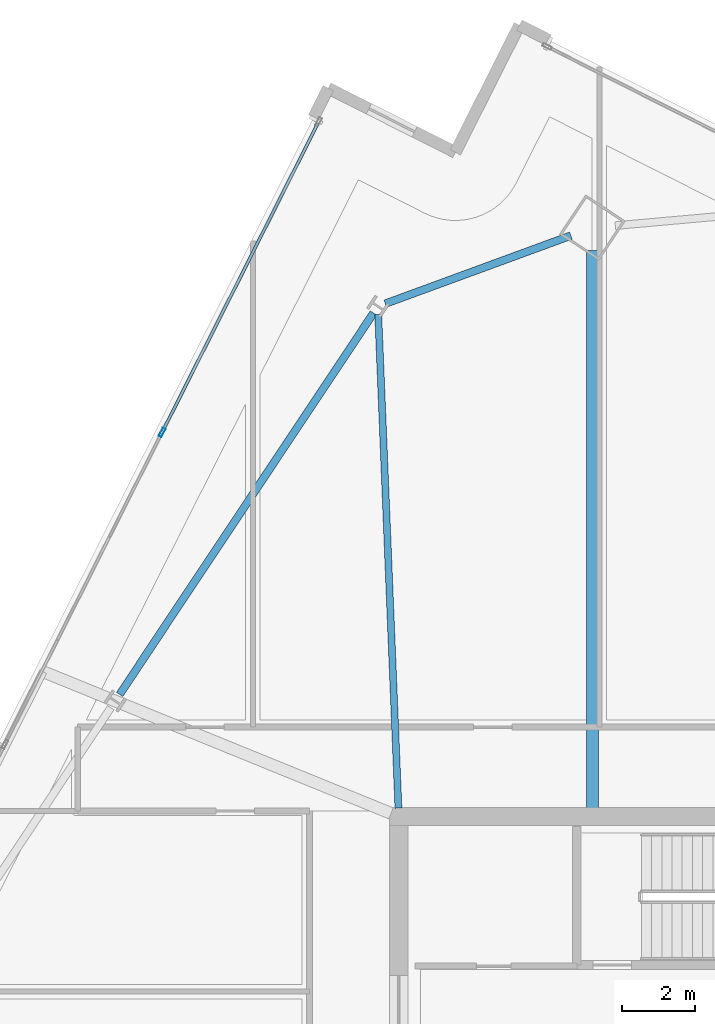
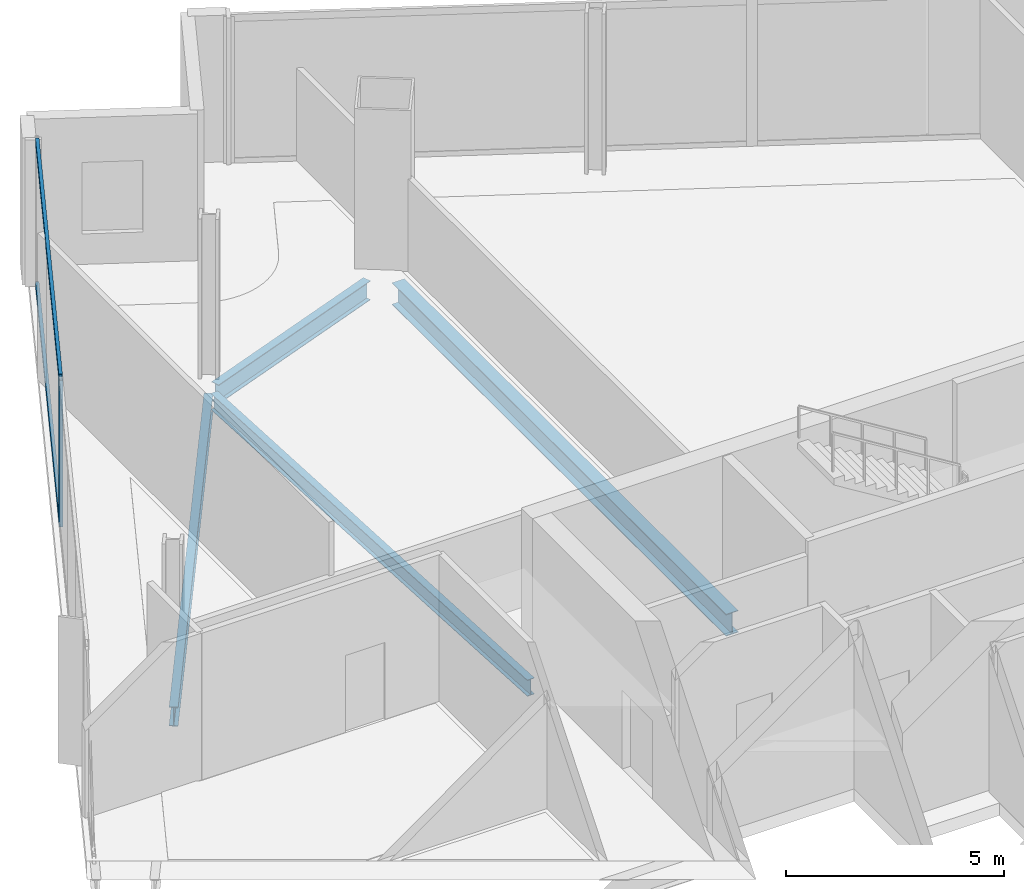
# One storey, part 14 of 27: 4 beams, 3 members, 1 element without a shape of its own.
"""IFC4 building model written with IfcOpenShell, lengths in metres."""

from ifc_helpers import new_model, si_unit, direction, frame, origin, origin_2d, place, context, subcontext, project, spatial, hollow_rectangle, i_section, extrude, material, material_profile, profile_set, type_object, element, aggregate, save


model = new_model("IFC4")

# Units and contexts
model_context = context("Model", 3, precision=1e-05, world=origin(), true_north=direction((0.0, 1.0)))
body_context = subcontext(model_context, "Body", "Model", "MODEL_VIEW")
ifc_project = project(units=[si_unit("LENGTHUNIT", "METRE"), si_unit("AREAUNIT", "SQUARE_METRE"), si_unit("VOLUMEUNIT", "CUBIC_METRE"), si_unit("PLANEANGLEUNIT", "RADIAN"), si_unit("MASSUNIT", "GRAM", prefix="KILO")], contexts=[model_context])

# Site, building, storey
site_placement = place(None, origin())
site = spatial("IfcSite", under=ifc_project, at=site_placement, CompositionType="ELEMENT")
building_placement = place(site_placement, origin())
building = spatial("IfcBuilding", under=site, at=building_placement, Name="Haldenkirk Collegiate Tower", CompositionType="ELEMENT")
storey_placement = place(building_placement, frame((0.0, 0.0, 239.699951171875)))
storey = spatial("IfcBuildingStorey", under=building, at=storey_placement, Name="L60", CompositionType="ELEMENT", Elevation=239.699951171875)

# Beams
ifc_material_1 = material(Name="Steel ASTM A992 Grade 50", Category="steel")
ifc_material_profile_1 = material_profile(ifc_material_1, i_section(OverallWidth=0.324951171875, OverallDepth=0.615966796875, WebThickness=0.013916015625, FlangeThickness=0.021484375, at=origin_2d()), Name="W24X117")
ifc_profile_set_1 = profile_set([ifc_material_profile_1], Name="Steel ASTM A992 Grade 50")
beam_type_1 = type_object("IfcBeamType", Name="BM-GIRDER-W24X117", PredefinedType="BEAM", material=ifc_profile_set_1)
beam_1_placement = place(storey_placement, frame((32.30810546875, 49.5107421875, -0.657958984375), z_axis=(0.0, -1.0, 0.0), x_axis=(1.0, 0.0, 0.0)))
element("IfcBeam", 1, at=beam_1_placement, inside=storey, type_object=beam_type_1, Name="L60 primary floor girder 03", PredefinedType="BEAM", context=body_context, shape_type="SweptSolid", body=[
    extrude(i_section(OverallWidth=0.324951171875, OverallDepth=0.615966796875, WebThickness=0.013916015625, FlangeThickness=0.021484375, at=origin_2d()), origin(), (0.0, 0.0, 1.0), 15.28076171875),
])
ifc_material_profile_2 = material_profile(ifc_material_1, i_section(OverallWidth=0.18994140625, OverallDepth=0.45703125, WebThickness=0.009033203125, FlangeThickness=0.014404296875, at=origin_2d()), Name="W18X50")
ifc_profile_set_2 = profile_set([ifc_material_profile_2], Name="Steel ASTM A992 Grade 50")
beam_type_2 = type_object("IfcBeamType", Name="BM-JOIST-W18X50", PredefinedType="JOIST", material=ifc_profile_set_2)
beam_2_placement = place(storey_placement, frame((26.4365234375, 47.76708984375, -0.578369140625), z_axis=(0.040886268065, -0.999163806932, 0.0), x_axis=(0.999163806932, 0.040886268065, 0.0)))
element("IfcBeam", 2, at=beam_2_placement, inside=storey, type_object=beam_type_2, Name="L60 composite floor joist 11", PredefinedType="JOIST", context=body_context, shape_type="SweptSolid", body=[
    extrude(i_section(OverallWidth=0.18994140625, OverallDepth=0.45703125, WebThickness=0.009033203125, FlangeThickness=0.014404296875, at=origin_2d()), origin(), (0.0, 0.0, 1.0), 13.548583984375),
])
ifc_material_profile_3 = material_profile(ifc_material_1, i_section(OverallWidth=0.2099609375, OverallDepth=0.537109375, WebThickness=0.010986328125, FlangeThickness=0.017333984375, at=origin_2d()), Name="W21X68")
ifc_profile_set_3 = profile_set([ifc_material_profile_3], Name="Steel ASTM A992 Grade 50")
beam_type_3 = type_object("IfcBeamType", Name="BM-SPANDREL-W21X68", PredefinedType="SPANDREL", material=ifc_profile_set_3)
beam_3_placement = place(storey_placement, frame((31.716796875, 49.923828125, -0.618408203125), z_axis=(-0.938842319963, -0.344347351153, 0.0), x_axis=(0.344347351153, -0.938842319963, 0.0)))
element("IfcBeam", 3, at=beam_3_placement, inside=storey, type_object=beam_type_3, Name="L60 perimeter spandrel beam 09", PredefinedType="SPANDREL", context=body_context, shape_type="SweptSolid", body=[
    extrude(i_section(OverallWidth=0.2099609375, OverallDepth=0.537109375, WebThickness=0.010986328125, FlangeThickness=0.017333984375, at=origin_2d()), origin(), (0.0, 0.0, 1.0), 5.416748046875),
])
beam_4_placement = place(storey_placement, frame((26.3076171875, 47.80322265625, -0.618408203125), z_axis=(-0.554125989098, -0.832432813028, 0.0), x_axis=(0.832432813028, -0.554125989098, 0.0)))
element("IfcBeam", 4, at=beam_4_placement, inside=storey, type_object=beam_type_3, Name="L60 perimeter spandrel beam 10", PredefinedType="SPANDREL", context=body_context, shape_type="SweptSolid", body=[
    extrude(i_section(OverallWidth=0.2099609375, OverallDepth=0.537109375, WebThickness=0.010986328125, FlangeThickness=0.017333984375, at=origin_2d()), origin(), (0.0, 0.0, 1.0), 12.56201171875),
])

# Curtain wall, members
ifc_material_2 = material(Name="Anodised architectural bronze aluminium", Category="aluminium")
curtain_wall_type = type_object("IfcCurtainWallType", Name="CW-SYS1B-CONVEX-HI", PredefinedType="USERDEFINED", material=ifc_material_2)
curtain_wall_placement = place(storey_placement, origin())
curtain_wall = element("IfcCurtainWall", 5, at=curtain_wall_placement, inside=storey, type_object=curtain_wall_type, Name="L60 Upper tower high-wind convex bronze unitised curtain wall", ObjectType="UNITISED CURTAIN WALL", PredefinedType="USERDEFINED")
ifc_material_profile_4 = material_profile(ifc_material_2, hollow_rectangle(XDim=0.0849609375, YDim=0.25, WallThickness=0.0048828125, at=origin_2d()), Name="CW-MUL-1B")
ifc_profile_set_4 = profile_set([ifc_material_profile_4], Name="Anodised architectural bronze aluminium")
member_type_1 = type_object("IfcMemberType", Name="CW-MUL-1B", PredefinedType="MULLION", material=ifc_profile_set_4)
member_1_placement = place(storey_placement, frame((20.51220703125, 44.529052734375, 0.0), z_axis=(0.0, 0.0, 1.0), x_axis=(-0.892978136904, 0.450100041114, 0.0)))
member_1 = element("IfcMember", 6, at=member_1_placement, type_object=member_type_1, Name="CW-1B mullion 4", PredefinedType="MULLION", context=body_context, shape_type="SweptSolid", body=[
    extrude(hollow_rectangle(XDim=0.0849609375, YDim=0.25, WallThickness=0.0048828125, at=origin_2d()), origin(), (0.0, 0.0, 1.0), 4.10009765625),
])
ifc_material_profile_5 = material_profile(ifc_material_2, hollow_rectangle(XDim=0.0849609375, YDim=0.199951171875, WallThickness=0.0048828125, at=origin_2d()), Name="CW-TRN-1B")
ifc_profile_set_5 = profile_set([ifc_material_profile_5], Name="Anodised architectural bronze aluminium")
member_type_2 = type_object("IfcMemberType", Name="CW-TRN-1B", PredefinedType="USERDEFINED", material=ifc_profile_set_5)
member_2_placement = place(storey_placement, frame((20.531494140625, 44.56689453125, 0.04248046875), z_axis=(0.450084884447, 0.892985776366, 0.0), x_axis=(-0.892985776366, 0.450084884447, 0.0)))
member_2 = element("IfcMember", 7, at=member_2_placement, type_object=member_type_2, Name="CW-1B transom 4.1", ObjectType="TRANSOM", PredefinedType="USERDEFINED", context=body_context, shape_type="SweptSolid", body=[
    extrude(hollow_rectangle(XDim=0.0849609375, YDim=0.199951171875, WallThickness=0.0048828125, at=origin_2d()), origin(), (0.0, 0.0, 1.0), 9.447509765625),
])
member_3_placement = place(storey_placement, frame((20.531494140625, 44.56689453125, 4.0576171875), z_axis=(0.450084884447, 0.892985776366, 0.0), x_axis=(-0.892985776366, 0.450084884447, 0.0)))
member_3 = element("IfcMember", 8, at=member_3_placement, type_object=member_type_2, Name="CW-1B transom 4.2", ObjectType="TRANSOM", PredefinedType="USERDEFINED", context=body_context, shape_type="SweptSolid", body=[
    extrude(hollow_rectangle(XDim=0.0849609375, YDim=0.199951171875, WallThickness=0.0048828125, at=origin_2d()), origin(), (0.0, 0.0, 1.0), 9.447509765625),
])
aggregate(curtain_wall, [member_1, member_2, member_3])

save(model, "model.ifc")
